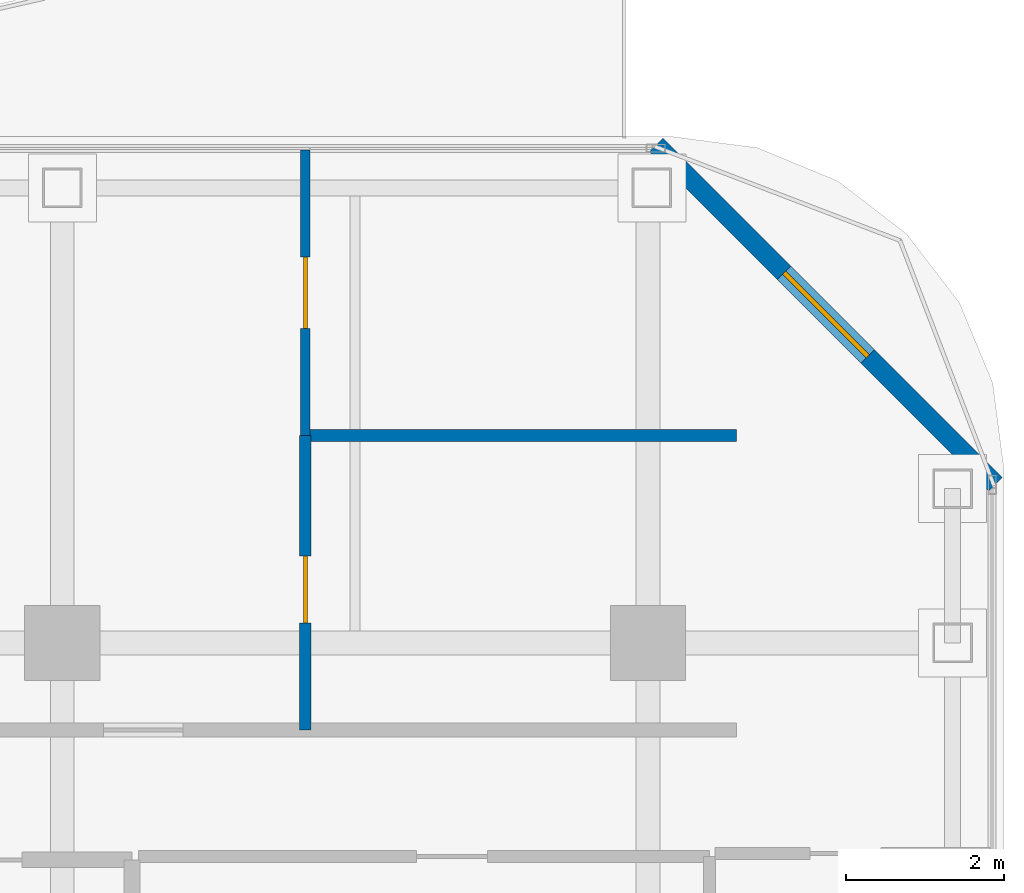
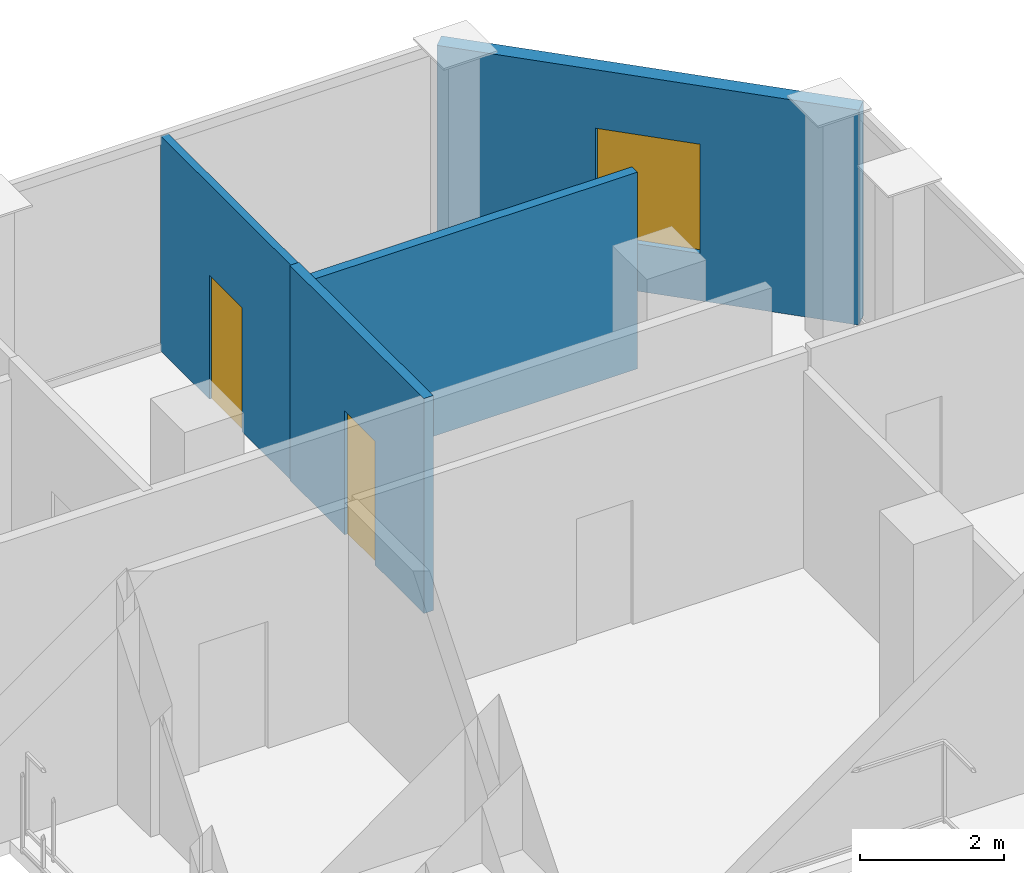
# One storey, part 21 of 22: 4 walls, 2 doors, 1 window, 3 openings.
"""IFC4 building model written with IfcOpenShell, lengths in metres."""

from ifc_helpers import new_model, si_unit, direction, frame, frame_2d, origin, place, context, subcontext, project, spatial, rectangle, extrude, material, layer, layer_set, type_object, element, fill, save


model = new_model("IFC4")

# Units and contexts
model_context = context("Model", 3, precision=1e-05, world=origin(), true_north=direction((0.0, 1.0)))
body_context = subcontext(model_context, "Body", "Model", "MODEL_VIEW")
ifc_project = project(units=[si_unit("LENGTHUNIT", "METRE"), si_unit("AREAUNIT", "SQUARE_METRE"), si_unit("VOLUMEUNIT", "CUBIC_METRE"), si_unit("PLANEANGLEUNIT", "RADIAN"), si_unit("MASSUNIT", "GRAM", prefix="KILO")], contexts=[model_context])

# Site, building, storey
site_placement = place(None, origin())
site = spatial("IfcSite", under=ifc_project, at=site_placement, CompositionType="ELEMENT")
building_placement = place(site_placement, origin())
building = spatial("IfcBuilding", under=site, at=building_placement, Name="Khorvyn Point Tower", CompositionType="ELEMENT")
storey_placement = place(building_placement, frame((0.0, 0.0, 309.300048828125)))
storey = spatial("IfcBuildingStorey", under=building, at=storey_placement, Name="L76", CompositionType="ELEMENT", Elevation=309.300048828125)

# Wall, opening, window
ifc_material_1 = material(Name="Pale anodised aluminium rainscreen on steel stud", Category="steel")
ifc_layer_1 = layer(ifc_material_1, 0.239990234375)
ifc_layer_set_1 = layer_set([ifc_layer_1], Name="Anodised Aluminium Insulated Corner Spandrel Wall 240")
wall_type_1 = type_object("IfcWallType", Name="Anodised Aluminium Insulated Corner Spandrel Wall 240", PredefinedType="SOLIDWALL", material=ifc_layer_set_1)
wall_1_placement = place(storey_placement, frame((14.90771484375, 21.09228515625, 0.0), z_axis=(0.0, 0.0, 1.0), x_axis=(0.707106781187, -0.707106781187, 0.0)))
wall_1 = element("IfcWall", 1, at=wall_1_placement, inside=storey, type_object=wall_type_1, Name="L76 Rounded Corner Wall NE", PredefinedType="SOLIDWALL", context=body_context, shape_type="SweptSolid", body=[
    extrude(rectangle(XDim=6.059326171875, YDim=0.239990234375, at=frame_2d((3.02978515625, 0.0))), origin(), (0.0, 0.0, 1.0), 3.639892578125),
])
opening_1_placement = place(wall_1_placement, frame((2.27978515625, 0.0, 0.800048828125)))
opening_1 = element("IfcOpeningElement", 2, at=opening_1_placement, cuts=wall_1, Name="Opening WN-1518", PredefinedType="OPENING", context=body_context, shape_type="SweptSolid", body=[
    extrude(rectangle(XDim=1.5, YDim=1.85009765625, at=frame_2d((0.75, 0.925048828125))), frame((0.0, 0.1298828125, 0.0), z_axis=(0.0, -1.0, 0.0), x_axis=(1.0, 0.0, 0.0)), (0.0, 0.0, 1.0), 0.260009765625),
])
ifc_material_2 = material(Name="Anodised aluminium 6063-T6 and laminated Low-E glass", Category="aluminium")
window_type = type_object("IfcWindowType", Name="Anodised Aluminium Rounded-Corner Panoramic Window 1500x1850", PartitioningType="SINGLE_PANEL", PredefinedType="WINDOW", material=ifc_material_2)
window_placement = place(opening_1_placement, origin())
window = element("IfcWindow", 3, at=window_placement, inside=storey, type_object=window_type, Name="L76 Corner Panoramic Window NE", OverallHeight=1.85009765625, OverallWidth=1.5, PartitioningType="SINGLE_PANEL", PredefinedType="WINDOW", context=body_context, shape_type="SweptSolid", body=[
    extrude(rectangle(XDim=1.5, YDim=1.85009765625, at=frame_2d((0.75, 0.925048828125))), frame((0.0, 0.030029296875, 0.0), z_axis=(0.0, -1.0, 0.0), x_axis=(1.0, 0.0, 0.0)), (0.0, 0.0, 1.0), 0.06005859375),
])
fill(opening_1, window)

# Wall, opening, door
ifc_material_3 = material(Name="Gypsum plasterboard on steel stud", Category="steel")
ifc_layer_2 = layer(ifc_material_3, 0.1201171875)
ifc_layer_set_2 = layer_set([ifc_layer_2], Name="Gypsum Acoustic Stud Room Partition Wall 120")
wall_type_2 = type_object("IfcWallType", Name="Gypsum Acoustic Stud Room Partition Wall 120", PredefinedType="PARTITIONING", material=ifc_layer_set_2)
wall_2_placement = place(storey_placement, frame((10.469970703125, 17.4208984375, 0.0), z_axis=(0.0, 0.0, 1.0), x_axis=(0.0, 1.0, 0.0)))
wall_2 = element("IfcWall", 4, at=wall_2_placement, inside=storey, type_object=wall_type_2, Name="Wall", PredefinedType="PARTITIONING", context=body_context, shape_type="SweptSolid", body=[
    extrude(rectangle(XDim=3.609130859375, YDim=0.1201171875, at=frame_2d((1.8046875, 0.0))), origin(), (0.0, 0.0, 1.0), 3.639892578125),
])
opening_2_placement = place(wall_2_placement, frame((1.3544921875, 0.0, 0.0)))
opening_2 = element("IfcOpeningElement", 5, at=opening_2_placement, cuts=wall_2, Name="Opening ID-RM90", PredefinedType="OPENING", context=body_context, shape_type="SweptSolid", body=[
    extrude(rectangle(XDim=0.89990234375, YDim=2.10009765625, at=frame_2d((0.449951171875, 1.050048828125))), frame((0.0, 0.070068359375, 0.0), z_axis=(0.0, -1.0, 0.0), x_axis=(1.0, 0.0, 0.0)), (0.0, 0.0, 1.0), 0.14013671875),
])
ifc_material_4 = material(Name="Engineered oak veneer timber", Category="wood")
door_type_1 = type_object("IfcDoorType", Name="Flush Engineered Timber Room Door 900x2100", OperationType="NOTDEFINED", PredefinedType="DOOR", material=ifc_material_4)
door_1_placement = place(opening_2_placement, origin())
door_1 = element("IfcDoor", 6, at=door_1_placement, inside=storey, type_object=door_type_1, Name="Door", OperationType="SINGLE_SWING_LEFT", OverallHeight=2.10009765625, OverallWidth=0.89990234375, PredefinedType="DOOR", context=body_context, shape_type="SweptSolid", body=[
    extrude(rectangle(XDim=0.89990234375, YDim=2.10009765625, at=frame_2d((0.449951171875, 1.050048828125))), frame((0.0, 0.02490234375, 0.0), z_axis=(0.0, -1.0, 0.0), x_axis=(1.0, 0.0, 0.0)), (0.0, 0.0, 1.0), 0.050048828125),
])
fill(opening_2, door_1)

ifc_material_5 = material(Name="Moisture-resistant gypsum and cement board", Category="gypsum")
ifc_layer_3 = layer(ifc_material_5, 0.14990234375)
ifc_layer_set_3 = layer_set([ifc_layer_3], Name="Moisture-Resistant Wet-Room Partition Wall 150")
wall_type_3 = type_object("IfcWallType", Name="Moisture-Resistant Wet-Room Partition Wall 150", PredefinedType="PARTITIONING", material=ifc_layer_set_3)
wall_3_placement = place(storey_placement, frame((10.469970703125, 13.699951171875, 0.0), z_axis=(0.0, 0.0, 1.0), x_axis=(0.0, 1.0, 0.0)))
wall_3 = element("IfcWall", 7, at=wall_3_placement, inside=storey, type_object=wall_type_3, Name="Wall", PredefinedType="PARTITIONING", context=body_context, shape_type="SweptSolid", body=[
    extrude(rectangle(XDim=3.720947265625, YDim=0.14990234375, at=frame_2d((1.8603515625, 0.0))), origin(), (0.0, 0.0, 1.0), 3.639892578125),
])
opening_3_placement = place(wall_3_placement, frame((1.3505859375, 0.0, 0.0)))
opening_3 = element("IfcOpeningElement", 8, at=opening_3_placement, cuts=wall_3, Name="Opening ID-WC85", PredefinedType="OPENING", context=body_context, shape_type="SweptSolid", body=[
    extrude(rectangle(XDim=0.85009765625, YDim=2.10009765625, at=frame_2d((0.425048828125, 1.050048828125))), frame((0.0, 0.0849609375, 0.0), z_axis=(0.0, -1.0, 0.0), x_axis=(1.0, 0.0, 0.0)), (0.0, 0.0, 1.0), 0.169921875),
])
ifc_material_6 = material(Name="High-pressure laminate on moisture-resistant core", Category="wood")
door_type_2 = type_object("IfcDoorType", Name="Moisture-Resistant Accessible Washroom Door 850x2100", OperationType="NOTDEFINED", PredefinedType="DOOR", material=ifc_material_6)
door_2_placement = place(opening_3_placement, origin())
door_2 = element("IfcDoor", 9, at=door_2_placement, inside=storey, type_object=door_type_2, Name="Door", OperationType="SINGLE_SWING_RIGHT", OverallHeight=2.10009765625, OverallWidth=0.85009765625, PredefinedType="DOOR", context=body_context, shape_type="SweptSolid", body=[
    extrude(rectangle(XDim=0.85009765625, YDim=2.10009765625, at=frame_2d((0.425048828125, 1.050048828125))), frame((0.0, 0.02490234375, 0.0), z_axis=(0.0, -1.0, 0.0), x_axis=(1.0, 0.0, 0.0)), (0.0, 0.0, 1.0), 0.050048828125),
])
fill(opening_3, door_2)

# Wall
wall_4_placement = place(storey_placement, frame((10.469970703125, 17.4208984375, 0.0), z_axis=(0.0, 0.0, 1.0), x_axis=(1.0, 0.0, 0.0)))
element("IfcWall", 10, at=wall_4_placement, inside=storey, type_object=wall_type_3, Name="Wall", PredefinedType="PARTITIONING", context=body_context, shape_type="SweptSolid", body=[
    extrude(rectangle(XDim=5.449951171875, YDim=0.14990234375, at=frame_2d((2.72509765625, 0.0))), origin(), (0.0, 0.0, 1.0), 3.329833984375),
])

save(model, "model.ifc")
